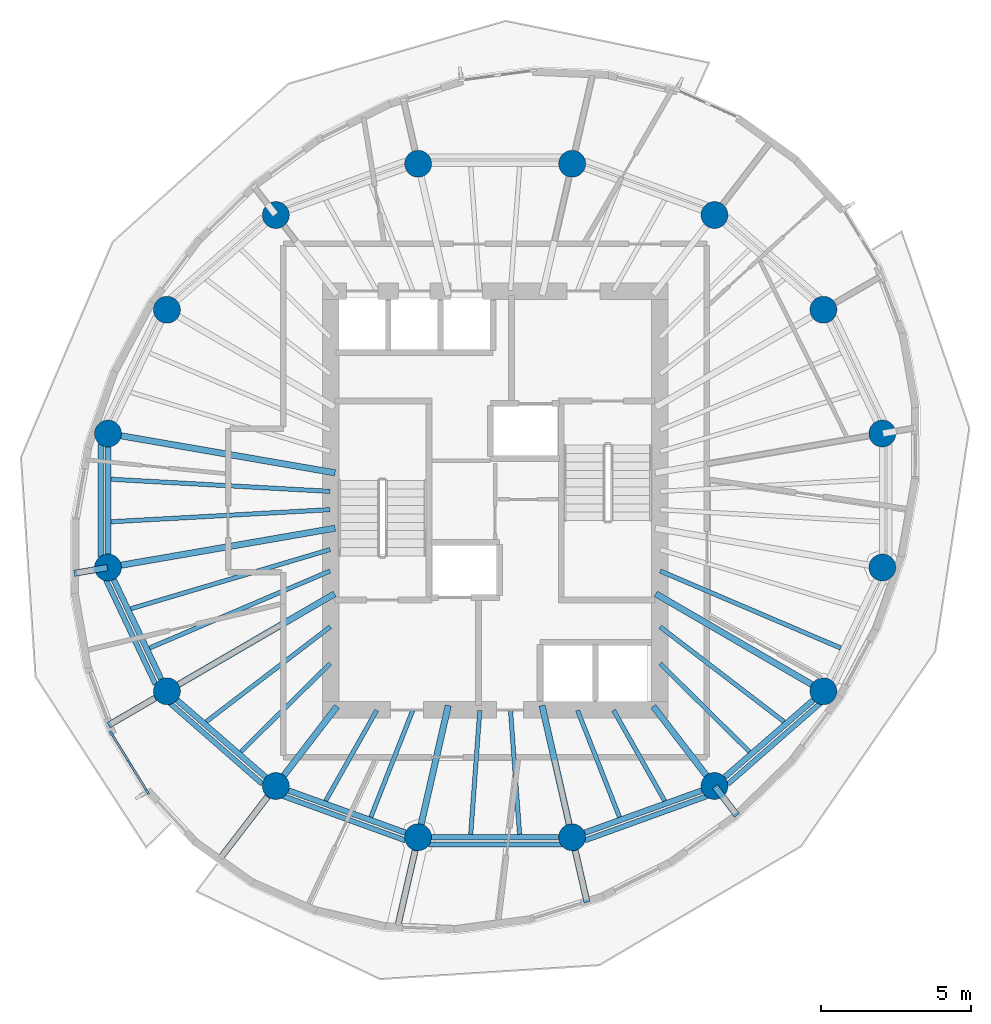
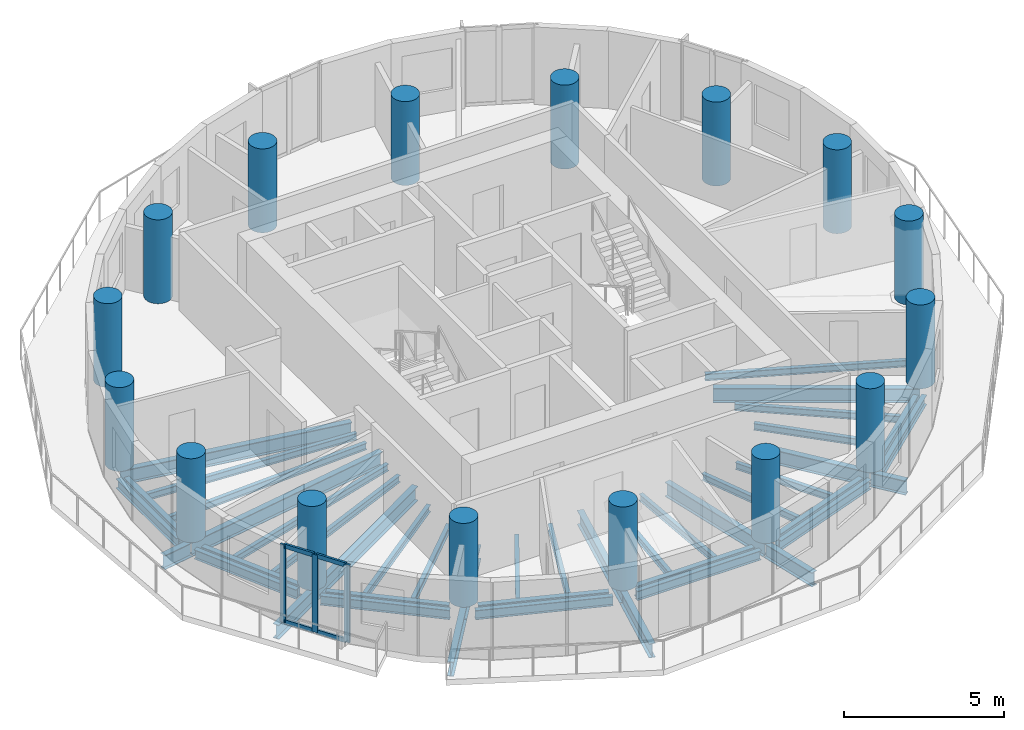
# One storey, part 1 of 10: 43 beams, 16 columns, 7 members, 1 element without a shape of its own.
"""IFC4 building model written with IfcOpenShell, lengths in metres."""

from ifc_helpers import new_model, si_unit, direction, frame, origin, origin_2d, place, context, subcontext, project, spatial, rectangle, circle, i_section, extrude, material, material_profile, profile_set, type_object, element, aggregate, save


model = new_model("IFC4")

# Units and contexts
model_context = context("Model", 3, precision=1e-05, world=origin(), true_north=direction((0.0, 1.0)))
body_context = subcontext(model_context, "Body", "Model", "MODEL_VIEW")
ifc_project = project(units=[si_unit("LENGTHUNIT", "METRE"), si_unit("AREAUNIT", "SQUARE_METRE"), si_unit("VOLUMEUNIT", "CUBIC_METRE"), si_unit("PLANEANGLEUNIT", "RADIAN"), si_unit("MASSUNIT", "GRAM", prefix="KILO")], contexts=[model_context])

# Site, building, storey
site_placement = place(None, origin())
site = spatial("IfcSite", under=ifc_project, at=site_placement, CompositionType="ELEMENT")
building_placement = place(site_placement, origin())
building = spatial("IfcBuilding", under=site, at=building_placement, Name="Veldorim Arch Residences", CompositionType="ELEMENT")
storey_placement = place(building_placement, frame((0.0, 0.0, 198.239990234375)))
storey = spatial("IfcBuildingStorey", under=building, at=storey_placement, Name="L59", CompositionType="ELEMENT", Elevation=198.239990234375)

# Columns
ifc_material_1 = material(Name="Concrete C50/60", Category="concrete")
ifc_material_profile_1 = material_profile(ifc_material_1, circle(Radius=0.449951171875, at=origin_2d()), Name="RC_CIRC_900")
ifc_profile_set_1 = profile_set([ifc_material_profile_1], Name="Concrete C50/60")
column_type = type_object("IfcColumnType", Name="Structural Column RC_CIRC_900", PredefinedType="COLUMN", material=ifc_profile_set_1)
for number, where, z_axis, x_axis, name in (
    (1, (44.9462890625, 26.239501953125, 0.0), (0.0, 0.0, 1.0), (1.0, 0.0, 0.0), "L59 TC-Z4-01 perimeter column"),
    (2, (42.975341796875, 30.3779296875, 0.0), (0.0, 0.0, 1.0), (1.0, 0.0, 0.0), "L59 TC-Z4-02 perimeter column"),
    (3, (39.33349609375, 33.54541015625, 0.0), (0.0, 0.0, 1.0), (1.0, 0.0, 0.0), "L59 TC-Z4-03 perimeter column"),
    (4, (34.5751953125, 35.259521484375, 0.0), (0.0, 0.0, 1.0), (1.0, 0.0, 0.0), "L59 TC-Z4-04 perimeter column"),
    (5, (29.4248046875, 35.259521484375, 0.0), (0.0, 0.0, 1.0), (1.0, 0.0, 0.0), "L59 TC-Z4-05 perimeter column"),
    (6, (24.66650390625, 33.54541015625, 0.0), (0.0, 0.0, 1.0), (1.0, 0.0, 0.0), "L59 TC-Z4-06 perimeter column"),
    (7, (21.024658203125, 30.3779296875, 0.0), (0.0, 0.0, 1.0), (1.0, 0.0, 0.0), "L59 TC-Z4-07 perimeter column"),
    (8, (19.0537109375, 26.239501953125, 0.0), (0.0, 0.0, 1.0), (1.0, 0.0, 0.0), "L59 TC-Z4-08 perimeter column"),
    (9, (19.0537109375, 21.760498046875, 0.0), (0.0, 0.0, 1.0), (1.0, 0.0, 0.0), "L59 TC-Z4-09 perimeter column"),
    (10, (21.024658203125, 17.6220703125, 0.0), (0.0, 0.0, 1.0), (1.0, 0.0, 0.0), "L59 TC-Z4-10 perimeter column"),
    (11, (24.66650390625, 14.45458984375, 0.0), (0.0, 0.0, 1.0), (1.0, 0.0, 0.0), "L59 TC-Z4-11 perimeter column"),
    (12, (29.4248046875, 12.740478515625, 0.0), (0.0, 0.0, 1.0), (1.0, 0.0, 0.0), "L59 TC-Z4-12 perimeter column"),
    (13, (34.5751953125, 12.740478515625, 0.0), (0.0, 0.0, 1.0), (1.0, 0.0, 0.0), "L59 TC-Z4-13 perimeter column"),
    (14, (39.33349609375, 14.45458984375, 0.0), (0.0, 0.0, 1.0), (1.0, 0.0, 0.0), "L59 TC-Z4-14 perimeter column"),
    (15, (42.975341796875, 17.6220703125, 0.0), (0.0, 0.0, 1.0), (1.0, 0.0, 0.0), "L59 TC-Z4-15 perimeter column"),
    (16, (44.9462890625, 21.760498046875, 0.0), (0.0, 0.0, 1.0), (1.0, 0.0, 0.0), "L59 TC-Z4-16 perimeter column"),
):
    element("IfcColumn", number, at=place(storey_placement, frame(where, z_axis=z_axis, x_axis=x_axis)), inside=storey, type_object=column_type, Name=name, PredefinedType="COLUMN", context=body_context, shape_type="SweptSolid", body=[
        extrude(circle(Radius=0.449951171875, at=origin_2d()), origin(), (0.0, 0.0, 1.0), 3.199951171875),
    ])

# Beams
ifc_material_2 = material(Name="Steel S355", Category="steel")
ifc_material_profile_2 = material_profile(ifc_material_2, i_section(OverallWidth=0.2119140625, OverallDepth=0.54443359375, WebThickness=0.0126953125, FlangeThickness=0.021240234375, at=origin_2d()), Name="UB533x210x122")
ifc_profile_set_2 = profile_set([ifc_material_profile_2], Name="Steel S355")
beam_type_1 = type_object("IfcBeamType", Name="Structural Steel Beam UB533x210x122", PredefinedType="BEAM", material=ifc_profile_set_2)
for number, where, z_axis, x_axis, name in (
    (17, (26.647705078125, 24.92578125, -0.51220703125), (-0.985364974081, 0.170457818401, 0.0), (-0.170457818401, -0.985364974081, 0.0), "L59 radial floor girder 08"),
    (18, (26.647705078125, 23.07421875, -0.51220703125), (-0.985364974081, -0.170457818401, 0.0), (0.170457818401, -0.985364974081, 0.0), "L59 radial floor girder 09"),
):
    element("IfcBeam", number, at=place(storey_placement, frame(where, z_axis=z_axis, x_axis=x_axis)), inside=storey, type_object=beam_type_1, Name=name, PredefinedType="BEAM", context=body_context, shape_type="SweptSolid", body=[
        extrude(i_section(OverallWidth=0.2119140625, OverallDepth=0.54443359375, WebThickness=0.0126953125, FlangeThickness=0.021240234375, at=origin_2d()), origin(), (0.0, 0.0, 1.0), 7.68701171875),
    ])
beam_1_placement = place(storey_placement, frame((19.033935546875, 21.757080078125, -0.51220703125), z_axis=(-0.985354711989, -0.170517129816, 0.0), x_axis=(0.170517129816, -0.985354711989, 0.0)))
element("IfcBeam", 19, at=beam_1_placement, inside=storey, type_object=beam_type_1, Name="L59 radial edge cantilever girder 09", PredefinedType="BEAM", context=body_context, shape_type="SweptSolid", body=[
    extrude(i_section(OverallWidth=0.2119140625, OverallDepth=0.54443359375, WebThickness=0.0126953125, FlangeThickness=0.021240234375, at=origin_2d()), origin(), (0.0, 0.0, 1.0), 1.12548828125),
])
beam_2_placement = place(storey_placement, frame((26.629638671875, 20.87939453125, -0.51220703125), z_axis=(-0.864595736304, -0.502468121142, 0.0), x_axis=(0.502468121142, -0.864595736304, 0.0)))
element("IfcBeam", 20, at=beam_2_placement, inside=storey, type_object=beam_type_1, Name="L59 radial floor girder 10", PredefinedType="BEAM", context=body_context, shape_type="SweptSolid", body=[
    extrude(i_section(OverallWidth=0.2119140625, OverallDepth=0.54443359375, WebThickness=0.0126953125, FlangeThickness=0.021240234375, at=origin_2d()), origin(), (0.0, 0.0, 1.0), 6.462646484375),
])
beam_3_placement = place(storey_placement, frame((21.00732421875, 17.612060546875, -0.51220703125), z_axis=(-0.86461626896, -0.502432788988, 0.0), x_axis=(0.502432788988, -0.86461626896, 0.0)))
element("IfcBeam", 21, at=beam_3_placement, inside=storey, type_object=beam_type_1, Name="L59 radial edge cantilever girder 10", PredefinedType="BEAM", context=body_context, shape_type="SweptSolid", body=[
    extrude(i_section(OverallWidth=0.2119140625, OverallDepth=0.54443359375, WebThickness=0.0126953125, FlangeThickness=0.021240234375, at=origin_2d()), origin(), (0.0, 0.0, 1.0), 2.238525390625),
])
beam_4_placement = place(storey_placement, frame((26.71337890625, 17.118896484375, -0.51220703125), z_axis=(-0.609258442308, -0.792971721108, 0.0), x_axis=(0.792971721108, -0.609258442308, 0.0)))
element("IfcBeam", 22, at=beam_4_placement, inside=storey, type_object=beam_type_1, Name="L59 radial floor girder 11", PredefinedType="BEAM", context=body_context, shape_type="SweptSolid", body=[
    extrude(i_section(OverallWidth=0.2119140625, OverallDepth=0.54443359375, WebThickness=0.0126953125, FlangeThickness=0.021240234375, at=origin_2d()), origin(), (0.0, 0.0, 1.0), 3.339599609375),
])
beam_5_placement = place(storey_placement, frame((24.654296875, 14.438720703125, -0.51220703125), z_axis=(-0.609260847512, -0.792969873128, 0.0), x_axis=(0.792969873128, -0.609260847512, 0.0)))
element("IfcBeam", 23, at=beam_5_placement, inside=storey, type_object=beam_type_1, Name="L59 radial edge cantilever girder 11", PredefinedType="BEAM", context=body_context, shape_type="SweptSolid", body=[
    extrude(i_section(OverallWidth=0.2119140625, OverallDepth=0.54443359375, WebThickness=0.0126953125, FlangeThickness=0.021240234375, at=origin_2d()), origin(), (0.0, 0.0, 1.0), 3.09521484375),
])
beam_6_placement = place(storey_placement, frame((30.432373046875, 17.146240234375, -0.51220703125), z_axis=(-0.222952976993, -0.97482920045, 0.0), x_axis=(0.97482920045, -0.222952976993, 0.0)))
element("IfcBeam", 24, at=beam_6_placement, inside=storey, type_object=beam_type_1, Name="L59 radial floor girder 12", PredefinedType="BEAM", context=body_context, shape_type="SweptSolid", body=[
    extrude(i_section(OverallWidth=0.2119140625, OverallDepth=0.54443359375, WebThickness=0.0126953125, FlangeThickness=0.021240234375, at=origin_2d()), origin(), (0.0, 0.0, 1.0), 4.49951171875),
])
beam_7_placement = place(storey_placement, frame((29.42041015625, 12.72119140625, -0.51220703125), z_axis=(-0.222992392333, -0.974820184937, 0.0), x_axis=(0.974820184937, -0.222992392333, 0.0)))
element("IfcBeam", 25, at=beam_7_placement, inside=storey, type_object=beam_type_1, Name="L59 radial edge cantilever girder 12", PredefinedType="BEAM", context=body_context, shape_type="SweptSolid", body=[
    extrude(i_section(OverallWidth=0.2119140625, OverallDepth=0.54443359375, WebThickness=0.0126953125, FlangeThickness=0.021240234375, at=origin_2d()), origin(), (0.0, 0.0, 1.0), 3.085205078125),
])
beam_8_placement = place(storey_placement, frame((33.567626953125, 17.146240234375, -0.51220703125), z_axis=(0.222952976993, -0.97482920045, 0.0), x_axis=(0.97482920045, 0.222952976993, 0.0)))
element("IfcBeam", 26, at=beam_8_placement, inside=storey, type_object=beam_type_1, Name="L59 radial floor girder 13", PredefinedType="BEAM", context=body_context, shape_type="SweptSolid", body=[
    extrude(i_section(OverallWidth=0.2119140625, OverallDepth=0.54443359375, WebThickness=0.0126953125, FlangeThickness=0.021240234375, at=origin_2d()), origin(), (0.0, 0.0, 1.0), 4.49951171875),
])
beam_9_placement = place(storey_placement, frame((34.57958984375, 12.72119140625, -0.51220703125), z_axis=(0.223010839713, -0.974815964872, 0.0), x_axis=(0.974815964872, 0.223010839713, 0.0)))
element("IfcBeam", 27, at=beam_9_placement, inside=storey, type_object=beam_type_1, Name="L59 radial edge cantilever girder 13", PredefinedType="BEAM", context=body_context, shape_type="SweptSolid", body=[
    extrude(i_section(OverallWidth=0.2119140625, OverallDepth=0.54443359375, WebThickness=0.0126953125, FlangeThickness=0.021240234375, at=origin_2d()), origin(), (0.0, 0.0, 1.0), 2.209228515625),
])
beam_10_placement = place(storey_placement, frame((37.28662109375, 17.118896484375, -0.51220703125), z_axis=(0.609258442308, -0.792971721108, 0.0), x_axis=(0.792971721108, 0.609258442308, 0.0)))
element("IfcBeam", 28, at=beam_10_placement, inside=storey, type_object=beam_type_1, Name="L59 radial floor girder 14", PredefinedType="BEAM", context=body_context, shape_type="SweptSolid", body=[
    extrude(i_section(OverallWidth=0.2119140625, OverallDepth=0.54443359375, WebThickness=0.0126953125, FlangeThickness=0.021240234375, at=origin_2d()), origin(), (0.0, 0.0, 1.0), 3.339599609375),
])
beam_11_placement = place(storey_placement, frame((39.345703125, 14.438720703125, -0.51220703125), z_axis=(0.609217205993, -0.793003402214, 0.0), x_axis=(0.793003402214, 0.609217205993, 0.0)))
element("IfcBeam", 29, at=beam_11_placement, inside=storey, type_object=beam_type_1, Name="L59 radial edge cantilever girder 14", PredefinedType="BEAM", context=body_context, shape_type="SweptSolid", body=[
    extrude(i_section(OverallWidth=0.2119140625, OverallDepth=0.54443359375, WebThickness=0.0126953125, FlangeThickness=0.021240234375, at=origin_2d()), origin(), (0.0, 0.0, 1.0), 1.219482421875),
])
beam_12_placement = place(storey_placement, frame((37.370361328125, 20.87939453125, -0.51220703125), z_axis=(0.864595736304, -0.502468121142, 0.0), x_axis=(0.502468121142, 0.864595736304, 0.0)))
element("IfcBeam", 30, at=beam_12_placement, inside=storey, type_object=beam_type_1, Name="L59 radial floor girder 15", PredefinedType="BEAM", context=body_context, shape_type="SweptSolid", body=[
    extrude(i_section(OverallWidth=0.2119140625, OverallDepth=0.54443359375, WebThickness=0.0126953125, FlangeThickness=0.021240234375, at=origin_2d()), origin(), (0.0, 0.0, 1.0), 6.462646484375),
])
ifc_material_3 = material(Name="Steel S355", Category="steel")
ifc_material_profile_3 = material_profile(ifc_material_3, i_section(OverallWidth=0.146484375, OverallDepth=0.256103515625, WebThickness=0.00634765625, FlangeThickness=0.010986328125, at=origin_2d()), Name="UB254x146x37")
ifc_profile_set_3 = profile_set([ifc_material_profile_3], Name="Steel S355")
beam_type_2 = type_object("IfcBeamType", Name="Structural Steel Joist UB254x146x37", PredefinedType="JOIST", material=ifc_profile_set_3)
for number, where, z_axis, x_axis, name in (
    (31, (26.47998046875, 24.3056640625, -0.367919921875), (-0.998472000884, 0.055259962464, 0.0), (-0.055259962464, -0.998472000884, 0.0), "L59 secondary radial floor joist 08-1"),
    (32, (26.47998046875, 23.6943359375, -0.367919921875), (-0.998472000884, -0.055259962464, 0.0), (0.055259962464, -0.998472000884, 0.0), "L59 secondary radial floor joist 08-2"),
):
    element("IfcBeam", number, at=place(storey_placement, frame(where, z_axis=z_axis, x_axis=x_axis)), inside=storey, type_object=beam_type_2, Name=name, PredefinedType="JOIST", context=body_context, shape_type="SweptSolid", body=[
        extrude(i_section(OverallWidth=0.146484375, OverallDepth=0.256103515625, WebThickness=0.00634765625, FlangeThickness=0.010986328125, at=origin_2d()), origin(), (0.0, 0.0, 1.0), 7.33837890625),
    ])
beam_13_placement = place(storey_placement, frame((26.480712890625, 22.360595703125, -0.367919921875), z_axis=(-0.958594432792, -0.284774846889, 0.0), x_axis=(0.284774846889, -0.958594432792, 0.0)))
element("IfcBeam", 33, at=beam_13_placement, inside=storey, type_object=beam_type_2, Name="L59 secondary radial floor joist 09-1", PredefinedType="JOIST", context=body_context, shape_type="SweptSolid", body=[
    extrude(i_section(OverallWidth=0.146484375, OverallDepth=0.256103515625, WebThickness=0.00634765625, FlangeThickness=0.010986328125, at=origin_2d()), origin(), (0.0, 0.0, 1.0), 6.949462890625),
])
beam_14_placement = place(storey_placement, frame((26.481689453125, 21.644287109375, -0.367919921875), z_axis=(-0.919725161652, -0.392562895629, 0.0), x_axis=(0.392562895629, -0.919725161652, 0.0)))
element("IfcBeam", 34, at=beam_14_placement, inside=storey, type_object=beam_type_2, Name="L59 secondary radial floor joist 09-2", PredefinedType="JOIST", context=body_context, shape_type="SweptSolid", body=[
    extrude(i_section(OverallWidth=0.146484375, OverallDepth=0.256103515625, WebThickness=0.00634765625, FlangeThickness=0.010986328125, at=origin_2d()), origin(), (0.0, 0.0, 1.0), 6.5625),
])
beam_15_placement = place(storey_placement, frame((26.484130859375, 19.777099609375, -0.367919921875), z_axis=(-0.794013672216, -0.607899899929, 0.0), x_axis=(0.607899899929, -0.794013672216, 0.0)))
element("IfcBeam", 35, at=beam_15_placement, inside=storey, type_object=beam_type_2, Name="L59 secondary radial floor joist 10-1", PredefinedType="JOIST", context=body_context, shape_type="SweptSolid", body=[
    extrude(i_section(OverallWidth=0.146484375, OverallDepth=0.256103515625, WebThickness=0.00634765625, FlangeThickness=0.010986328125, at=origin_2d()), origin(), (0.0, 0.0, 1.0), 5.217041015625),
])
beam_16_placement = place(storey_placement, frame((26.48583984375, 18.55224609375, -0.367919921875), z_axis=(-0.711396725432, -0.702790650937, 0.0), x_axis=(0.702790650937, -0.711396725432, 0.0)))
element("IfcBeam", 36, at=beam_16_placement, inside=storey, type_object=beam_type_2, Name="L59 secondary radial floor joist 10-2", PredefinedType="JOIST", context=body_context, shape_type="SweptSolid", body=[
    extrude(i_section(OverallWidth=0.146484375, OverallDepth=0.256103515625, WebThickness=0.00634765625, FlangeThickness=0.010986328125, at=origin_2d()), origin(), (0.0, 0.0, 1.0), 4.198486328125),
])
beam_17_placement = place(storey_placement, frame((28.039794921875, 16.982666015625, -0.367919921875), z_axis=(-0.491452469585, -0.870904397818, 0.0), x_axis=(0.870904397818, -0.491452469585, 0.0)))
element("IfcBeam", 37, at=beam_17_placement, inside=storey, type_object=beam_type_2, Name="L59 secondary radial floor joist 11-1", PredefinedType="JOIST", context=body_context, shape_type="SweptSolid", body=[
    extrude(i_section(OverallWidth=0.146484375, OverallDepth=0.256103515625, WebThickness=0.00634765625, FlangeThickness=0.010986328125, at=origin_2d()), origin(), (0.0, 0.0, 1.0), 3.472412109375),
])
beam_18_placement = place(storey_placement, frame((29.24365234375, 16.9814453125, -0.367919921875), z_axis=(-0.365581383042, -0.930779379001, 0.0), x_axis=(0.930779379001, -0.365581383042, 0.0)))
element("IfcBeam", 38, at=beam_18_placement, inside=storey, type_object=beam_type_2, Name="L59 secondary radial floor joist 11-2", PredefinedType="JOIST", context=body_context, shape_type="SweptSolid", body=[
    extrude(i_section(OverallWidth=0.146484375, OverallDepth=0.256103515625, WebThickness=0.00634765625, FlangeThickness=0.010986328125, at=origin_2d()), origin(), (0.0, 0.0, 1.0), 3.83056640625),
])
for number, where, z_axis, x_axis, name in (
    (39, (31.486083984375, 16.97998046875, -0.367919921875), (-0.072985625899, -0.997332992742, 0.0), (0.997332992742, -0.072985625899, 0.0), "L59 secondary radial floor joist 12-1"),
    (40, (32.513916015625, 16.97998046875, -0.367919921875), (0.072985625899, -0.997332992742, 0.0), (0.997332992742, 0.072985625899, 0.0), "L59 secondary radial floor joist 12-2"),
):
    element("IfcBeam", number, at=place(storey_placement, frame(where, z_axis=z_axis, x_axis=x_axis)), inside=storey, type_object=beam_type_2, Name=name, PredefinedType="JOIST", context=body_context, shape_type="SweptSolid", body=[
        extrude(i_section(OverallWidth=0.146484375, OverallDepth=0.256103515625, WebThickness=0.00634765625, FlangeThickness=0.010986328125, at=origin_2d()), origin(), (0.0, 0.0, 1.0), 4.151123046875),
    ])
beam_19_placement = place(storey_placement, frame((34.75634765625, 16.9814453125, -0.367919921875), z_axis=(0.365581383042, -0.930779379001, 0.0), x_axis=(0.930779379001, 0.365581383042, 0.0)))
element("IfcBeam", 41, at=beam_19_placement, inside=storey, type_object=beam_type_2, Name="L59 secondary radial floor joist 13-1", PredefinedType="JOIST", context=body_context, shape_type="SweptSolid", body=[
    extrude(i_section(OverallWidth=0.146484375, OverallDepth=0.256103515625, WebThickness=0.00634765625, FlangeThickness=0.010986328125, at=origin_2d()), origin(), (0.0, 0.0, 1.0), 3.83056640625),
])
beam_20_placement = place(storey_placement, frame((35.960205078125, 16.982666015625, -0.367919921875), z_axis=(0.491452469585, -0.870904397818, 0.0), x_axis=(0.870904397818, 0.491452469585, 0.0)))
element("IfcBeam", 42, at=beam_20_placement, inside=storey, type_object=beam_type_2, Name="L59 secondary radial floor joist 13-2", PredefinedType="JOIST", context=body_context, shape_type="SweptSolid", body=[
    extrude(i_section(OverallWidth=0.146484375, OverallDepth=0.256103515625, WebThickness=0.00634765625, FlangeThickness=0.010986328125, at=origin_2d()), origin(), (0.0, 0.0, 1.0), 3.472412109375),
])
beam_21_placement = place(storey_placement, frame((37.51416015625, 18.55224609375, -0.367919921875), z_axis=(0.711396725432, -0.702790650937, 0.0), x_axis=(0.702790650937, 0.711396725432, 0.0)))
element("IfcBeam", 43, at=beam_21_placement, inside=storey, type_object=beam_type_2, Name="L59 secondary radial floor joist 14-1", PredefinedType="JOIST", context=body_context, shape_type="SweptSolid", body=[
    extrude(i_section(OverallWidth=0.146484375, OverallDepth=0.256103515625, WebThickness=0.00634765625, FlangeThickness=0.010986328125, at=origin_2d()), origin(), (0.0, 0.0, 1.0), 4.198486328125),
])
beam_22_placement = place(storey_placement, frame((37.515869140625, 19.777099609375, -0.367919921875), z_axis=(0.794013672216, -0.607899899929, 0.0), x_axis=(0.607899899929, 0.794013672216, 0.0)))
element("IfcBeam", 44, at=beam_22_placement, inside=storey, type_object=beam_type_2, Name="L59 secondary radial floor joist 14-2", PredefinedType="JOIST", context=body_context, shape_type="SweptSolid", body=[
    extrude(i_section(OverallWidth=0.146484375, OverallDepth=0.256103515625, WebThickness=0.00634765625, FlangeThickness=0.010986328125, at=origin_2d()), origin(), (0.0, 0.0, 1.0), 5.217041015625),
])
beam_23_placement = place(storey_placement, frame((37.518310546875, 21.644287109375, -0.367919921875), z_axis=(0.919725161652, -0.392562895629, 0.0), x_axis=(0.392562895629, 0.919725161652, 0.0)))
element("IfcBeam", 45, at=beam_23_placement, inside=storey, type_object=beam_type_2, Name="L59 secondary radial floor joist 15-1", PredefinedType="JOIST", context=body_context, shape_type="SweptSolid", body=[
    extrude(i_section(OverallWidth=0.146484375, OverallDepth=0.256103515625, WebThickness=0.00634765625, FlangeThickness=0.010986328125, at=origin_2d()), origin(), (0.0, 0.0, 1.0), 6.5625),
])
ifc_material_4 = material(Name="Steel S355", Category="steel")
ifc_material_profile_4 = material_profile(ifc_material_4, i_section(OverallWidth=0.172119140625, OverallDepth=0.35791015625, WebThickness=0.008056640625, FlangeThickness=0.012939453125, at=origin_2d()), Name="UB356x171x57")
ifc_profile_set_4 = profile_set([ifc_material_profile_4], Name="Steel S355")
beam_type_3 = type_object("IfcBeamType", Name="Structural Steel Spandrel UB356x171x57", PredefinedType="SPANDREL", material=ifc_profile_set_4)
beam_24_placement = place(storey_placement, frame((18.809814453125, 25.8857421875, -0.43896484375), z_axis=(0.0, -1.0, 0.0), x_axis=(1.0, 0.0, 0.0)))
element("IfcBeam", 46, at=beam_24_placement, inside=storey, type_object=beam_type_3, Name="L59 perimeter chord spandrel beam 08", PredefinedType="SPANDREL", context=body_context, shape_type="SweptSolid", body=[
    extrude(i_section(OverallWidth=0.172119140625, OverallDepth=0.35791015625, WebThickness=0.008056640625, FlangeThickness=0.012939453125, at=origin_2d()), origin(), (0.0, 0.0, 1.0), 3.771484375),
])
beam_25_placement = place(storey_placement, frame((18.9794921875, 21.3603515625, -0.43896484375), z_axis=(0.428408308939, -0.903585259304, 0.0), x_axis=(0.903585259304, 0.428408308939, 0.0)))
element("IfcBeam", 47, at=beam_25_placement, inside=storey, type_object=beam_type_3, Name="L59 perimeter chord spandrel beam 09", PredefinedType="SPANDREL", context=body_context, shape_type="SweptSolid", body=[
    extrude(i_section(OverallWidth=0.172119140625, OverallDepth=0.35791015625, WebThickness=0.008056640625, FlangeThickness=0.012939453125, at=origin_2d()), origin(), (0.0, 0.0, 1.0), 3.878662109375),
])
beam_26_placement = place(storey_placement, frame((21.108642578125, 17.237060546875, -0.43896484375), z_axis=(0.752847646119, -0.6581948205, 0.0), x_axis=(0.6581948205, 0.752847646119, 0.0)))
element("IfcBeam", 48, at=beam_26_placement, inside=storey, type_object=beam_type_3, Name="L59 perimeter chord spandrel beam 10", PredefinedType="SPANDREL", context=body_context, shape_type="SweptSolid", body=[
    extrude(i_section(OverallWidth=0.172119140625, OverallDepth=0.35791015625, WebThickness=0.008056640625, FlangeThickness=0.012939453125, at=origin_2d()), origin(), (0.0, 0.0, 1.0), 4.12939453125),
])
beam_27_placement = place(storey_placement, frame((24.887939453125, 14.12353515625, -0.43896484375), z_axis=(0.940164695555, -0.340720332871, 0.0), x_axis=(0.340720332871, 0.940164695555, 0.0)))
element("IfcBeam", 49, at=beam_27_placement, inside=storey, type_object=beam_type_3, Name="L59 perimeter chord spandrel beam 11", PredefinedType="SPANDREL", context=body_context, shape_type="SweptSolid", body=[
    extrude(i_section(OverallWidth=0.172119140625, OverallDepth=0.35791015625, WebThickness=0.008056640625, FlangeThickness=0.012939453125, at=origin_2d()), origin(), (0.0, 0.0, 1.0), 4.370849609375),
])
beam_28_placement = place(storey_placement, frame((29.765625, 12.499267578125, -0.43896484375), z_axis=(1.0, 0.0, 0.0), x_axis=(0.0, 1.0, 0.0)))
element("IfcBeam", 50, at=beam_28_placement, inside=storey, type_object=beam_type_3, Name="L59 perimeter chord spandrel beam 12", PredefinedType="SPANDREL", context=body_context, shape_type="SweptSolid", body=[
    extrude(i_section(OverallWidth=0.172119140625, OverallDepth=0.35791015625, WebThickness=0.008056640625, FlangeThickness=0.012939453125, at=origin_2d()), origin(), (0.0, 0.0, 1.0), 4.46875),
])
beam_29_placement = place(storey_placement, frame((35.002685546875, 12.63427734375, -0.43896484375), z_axis=(0.940164695555, 0.340720332871, 0.0), x_axis=(-0.340720332871, 0.940164695555, 0.0)))
element("IfcBeam", 51, at=beam_29_placement, inside=storey, type_object=beam_type_3, Name="L59 perimeter chord spandrel beam 13", PredefinedType="SPANDREL", context=body_context, shape_type="SweptSolid", body=[
    extrude(i_section(OverallWidth=0.172119140625, OverallDepth=0.35791015625, WebThickness=0.008056640625, FlangeThickness=0.012939453125, at=origin_2d()), origin(), (0.0, 0.0, 1.0), 4.370849609375),
])
beam_30_placement = place(storey_placement, frame((39.782470703125, 14.51904296875, -0.43896484375), z_axis=(0.752847646119, 0.6581948205, 0.0), x_axis=(-0.6581948205, 0.752847646119, 0.0)))
element("IfcBeam", 52, at=beam_30_placement, inside=storey, type_object=beam_type_3, Name="L59 perimeter chord spandrel beam 14", PredefinedType="SPANDREL", context=body_context, shape_type="SweptSolid", body=[
    extrude(i_section(OverallWidth=0.172119140625, OverallDepth=0.35791015625, WebThickness=0.008056640625, FlangeThickness=0.012939453125, at=origin_2d()), origin(), (0.0, 0.0, 1.0), 4.12939453125),
])
ifc_material_5 = material(Name="Steel S355", Category="steel")
ifc_material_profile_5 = material_profile(ifc_material_5, i_section(OverallWidth=0.19140625, OverallDepth=0.4599609375, WebThickness=0.010009765625, FlangeThickness=0.01611328125, at=origin_2d()), Name="UB457x191x82")
ifc_profile_set_5 = profile_set([ifc_material_profile_5], Name="Steel S355")
beam_type_4 = type_object("IfcBeamType", Name="Structural Steel Spandrel UB457x191x82", PredefinedType="SPANDREL", material=ifc_profile_set_5)
beam_31_placement = place(storey_placement, frame((19.0537109375, 25.78955078125, -0.469970703125), z_axis=(0.0, -1.0, 0.0), x_axis=(1.0, 0.0, 0.0)))
element("IfcBeam", 53, at=beam_31_placement, inside=storey, type_object=beam_type_4, Name="L59 perimeter ring tie beam 08", PredefinedType="SPANDREL", context=body_context, shape_type="SweptSolid", body=[
    extrude(i_section(OverallWidth=0.19140625, OverallDepth=0.4599609375, WebThickness=0.010009765625, FlangeThickness=0.01611328125, at=origin_2d()), origin(), (0.0, 0.0, 1.0), 3.5791015625),
])
beam_32_placement = place(storey_placement, frame((19.2470703125, 21.35400390625, -0.469970703125), z_axis=(0.430005613988, -0.902826213586, 0.0), x_axis=(0.902826213586, 0.430005613988, 0.0)))
element("IfcBeam", 54, at=beam_32_placement, inside=storey, type_object=beam_type_4, Name="L59 perimeter ring tie beam 09", PredefinedType="SPANDREL", context=body_context, shape_type="SweptSolid", body=[
    extrude(i_section(OverallWidth=0.19140625, OverallDepth=0.4599609375, WebThickness=0.010009765625, FlangeThickness=0.01611328125, at=origin_2d()), origin(), (0.0, 0.0, 1.0), 3.68359375),
])
beam_33_placement = place(storey_placement, frame((21.364013671875, 17.326904296875, -0.469970703125), z_axis=(0.754545285701, -0.656247980436, 0.0), x_axis=(0.656247980436, 0.754545285701, 0.0)))
element("IfcBeam", 55, at=beam_33_placement, inside=storey, type_object=beam_type_4, Name="L59 perimeter ring tie beam 10", PredefinedType="SPANDREL", context=body_context, shape_type="SweptSolid", body=[
    extrude(i_section(OverallWidth=0.19140625, OverallDepth=0.4599609375, WebThickness=0.010009765625, FlangeThickness=0.01611328125, at=origin_2d()), origin(), (0.0, 0.0, 1.0), 3.9267578125),
])
beam_34_placement = place(storey_placement, frame((25.08984375, 14.30224609375, -0.469970703125), z_axis=(0.940811035395, -0.338931550137, 0.0), x_axis=(0.338931550137, 0.940811035395, 0.0)))
element("IfcBeam", 56, at=beam_34_placement, inside=storey, type_object=beam_type_4, Name="L59 perimeter ring tie beam 11", PredefinedType="SPANDREL", context=body_context, shape_type="SweptSolid", body=[
    extrude(i_section(OverallWidth=0.19140625, OverallDepth=0.4599609375, WebThickness=0.010009765625, FlangeThickness=0.01611328125, at=origin_2d()), origin(), (0.0, 0.0, 1.0), 4.15771484375),
])
beam_35_placement = place(storey_placement, frame((29.874755859375, 12.740478515625, -0.469970703125), z_axis=(1.0, 0.0, 0.0), x_axis=(0.0, 1.0, 0.0)))
element("IfcBeam", 57, at=beam_35_placement, inside=storey, type_object=beam_type_4, Name="L59 perimeter ring tie beam 12", PredefinedType="SPANDREL", context=body_context, shape_type="SweptSolid", body=[
    extrude(i_section(OverallWidth=0.19140625, OverallDepth=0.4599609375, WebThickness=0.010009765625, FlangeThickness=0.01611328125, at=origin_2d()), origin(), (0.0, 0.0, 1.0), 4.25048828125),
])
beam_36_placement = place(storey_placement, frame((34.99853515625, 12.89306640625, -0.469970703125), z_axis=(0.940811035395, 0.338931550137, 0.0), x_axis=(-0.338931550137, 0.940811035395, 0.0)))
element("IfcBeam", 58, at=beam_36_placement, inside=storey, type_object=beam_type_4, Name="L59 perimeter ring tie beam 13", PredefinedType="SPANDREL", context=body_context, shape_type="SweptSolid", body=[
    extrude(i_section(OverallWidth=0.19140625, OverallDepth=0.4599609375, WebThickness=0.010009765625, FlangeThickness=0.01611328125, at=origin_2d()), origin(), (0.0, 0.0, 1.0), 4.15771484375),
])
beam_37_placement = place(storey_placement, frame((39.673095703125, 14.75, -0.469970703125), z_axis=(0.754545285701, 0.656247980436, 0.0), x_axis=(-0.656247980436, 0.754545285701, 0.0)))
element("IfcBeam", 59, at=beam_37_placement, inside=storey, type_object=beam_type_4, Name="L59 perimeter ring tie beam 14", PredefinedType="SPANDREL", context=body_context, shape_type="SweptSolid", body=[
    extrude(i_section(OverallWidth=0.19140625, OverallDepth=0.4599609375, WebThickness=0.010009765625, FlangeThickness=0.01611328125, at=origin_2d()), origin(), (0.0, 0.0, 1.0), 3.9267578125),
])

# Curtain wall, members
ifc_material_6 = material(Name="Aluminium", Category="aluminium")
curtain_wall_type = type_object("IfcCurtainWallType", Name="Zone 4 High-Altitude Unitised Curtain Wall", PredefinedType="NOTDEFINED", material=ifc_material_6)
curtain_wall_placement = place(storey_placement, origin())
curtain_wall = element("IfcCurtainWall", 60, at=curtain_wall_placement, inside=storey, type_object=curtain_wall_type, Name="L59 unitised curtain wall bay 17", PredefinedType="NOTDEFINED")
ifc_material_7 = material(Name="Aluminium", Category="aluminium")
ifc_material_profile_6 = material_profile(ifc_material_7, rectangle(XDim=0.074951171875, YDim=0.195068359375, at=origin_2d()), Name="ALU_MUL_75x195")
ifc_profile_set_6 = profile_set([ifc_material_profile_6], Name="Aluminium")
member_type_1 = type_object("IfcMemberType", Name="Zone 4 High-Altitude Unitised Curtain Wall Mullion 75x195", PredefinedType="MULLION", material=ifc_profile_set_6)
member_1_placement = place(storey_placement, frame((20.365234375, 14.26708984375, 0.0), z_axis=(0.0, 0.0, 1.0), x_axis=(-0.851801663929, -0.523864415023, 0.0)))
member_1 = element("IfcMember", 61, at=member_1_placement, type_object=member_type_1, Name="CW-Z4 mullion 1", PredefinedType="MULLION", context=body_context, shape_type="SweptSolid", body=[
    extrude(rectangle(XDim=0.074951171875, YDim=0.195068359375, at=origin_2d()), origin(), (0.0, 0.0, 1.0), 2.9599609375),
])
member_2_placement = place(storey_placement, frame((19.77001953125, 15.234619140625, 0.0), z_axis=(0.0, 0.0, 1.0), x_axis=(-0.851801663929, -0.523864415023, 0.0)))
member_2 = element("IfcMember", 62, at=member_2_placement, type_object=member_type_1, Name="CW-Z4 mullion 2", PredefinedType="MULLION", context=body_context, shape_type="SweptSolid", body=[
    extrude(rectangle(XDim=0.074951171875, YDim=0.195068359375, at=origin_2d()), origin(), (0.0, 0.0, 1.0), 2.9599609375),
])
member_3_placement = place(storey_placement, frame((19.175048828125, 16.2021484375, 0.0), z_axis=(0.0, 0.0, 1.0), x_axis=(-0.851801663929, -0.523864415023, 0.0)))
member_3 = element("IfcMember", 63, at=member_3_placement, type_object=member_type_1, Name="CW-Z4 mullion 3", PredefinedType="MULLION", context=body_context, shape_type="SweptSolid", body=[
    extrude(rectangle(XDim=0.074951171875, YDim=0.195068359375, at=origin_2d()), origin(), (0.0, 0.0, 1.0), 2.9599609375),
])
ifc_material_8 = material(Name="Aluminium", Category="aluminium")
ifc_material_profile_7 = material_profile(ifc_material_8, rectangle(XDim=0.074951171875, YDim=0.1650390625, at=origin_2d()), Name="ALU_TRN_75x165")
ifc_profile_set_7 = profile_set([ifc_material_profile_7], Name="Aluminium")
member_type_2 = type_object("IfcMemberType", Name="Zone 4 High-Altitude Unitised Curtain Wall Transom 75x165", PredefinedType="USERDEFINED", material=ifc_profile_set_7)
member_4_placement = place(storey_placement, frame((20.345458984375, 14.299072265625, 0.03759765625), z_axis=(-0.523840572691, 0.851816326682, 0.0), x_axis=(-0.851816326682, -0.523840572691, 0.0)))
member_4 = element("IfcMember", 64, at=member_4_placement, type_object=member_type_2, Name="CW-Z4 transom 1.1", ObjectType="TRANSOM", PredefinedType="USERDEFINED", context=body_context, shape_type="SweptSolid", body=[
    extrude(rectangle(XDim=0.074951171875, YDim=0.1650390625, at=origin_2d()), origin(), (0.0, 0.0, 1.0), 1.060791015625),
])
member_5_placement = place(storey_placement, frame((20.345458984375, 14.299072265625, 2.922607421875), z_axis=(-0.523840572691, 0.851816326682, 0.0), x_axis=(-0.851816326682, -0.523840572691, 0.0)))
member_5 = element("IfcMember", 65, at=member_5_placement, type_object=member_type_2, Name="CW-Z4 transom 1.2", ObjectType="TRANSOM", PredefinedType="USERDEFINED", context=body_context, shape_type="SweptSolid", body=[
    extrude(rectangle(XDim=0.074951171875, YDim=0.1650390625, at=origin_2d()), origin(), (0.0, 0.0, 1.0), 1.060791015625),
])
member_6_placement = place(storey_placement, frame((19.75048828125, 15.2666015625, 0.03759765625), z_axis=(-0.524007543384, 0.851713622338, 0.0), x_axis=(-0.851713622338, -0.524007543384, 0.0)))
member_6 = element("IfcMember", 66, at=member_6_placement, type_object=member_type_2, Name="CW-Z4 transom 2.1", ObjectType="TRANSOM", PredefinedType="USERDEFINED", context=body_context, shape_type="SweptSolid", body=[
    extrude(rectangle(XDim=0.074951171875, YDim=0.1650390625, at=origin_2d()), origin(), (0.0, 0.0, 1.0), 1.060791015625),
])
member_7_placement = place(storey_placement, frame((19.75048828125, 15.2666015625, 2.922607421875), z_axis=(-0.524007543384, 0.851713622338, 0.0), x_axis=(-0.851713622338, -0.524007543384, 0.0)))
member_7 = element("IfcMember", 67, at=member_7_placement, type_object=member_type_2, Name="CW-Z4 transom 2.2", ObjectType="TRANSOM", PredefinedType="USERDEFINED", context=body_context, shape_type="SweptSolid", body=[
    extrude(rectangle(XDim=0.074951171875, YDim=0.1650390625, at=origin_2d()), origin(), (0.0, 0.0, 1.0), 1.060791015625),
])
aggregate(curtain_wall, [member_1, member_2, member_3, member_4, member_5, member_6, member_7])

save(model, "model.ifc")
